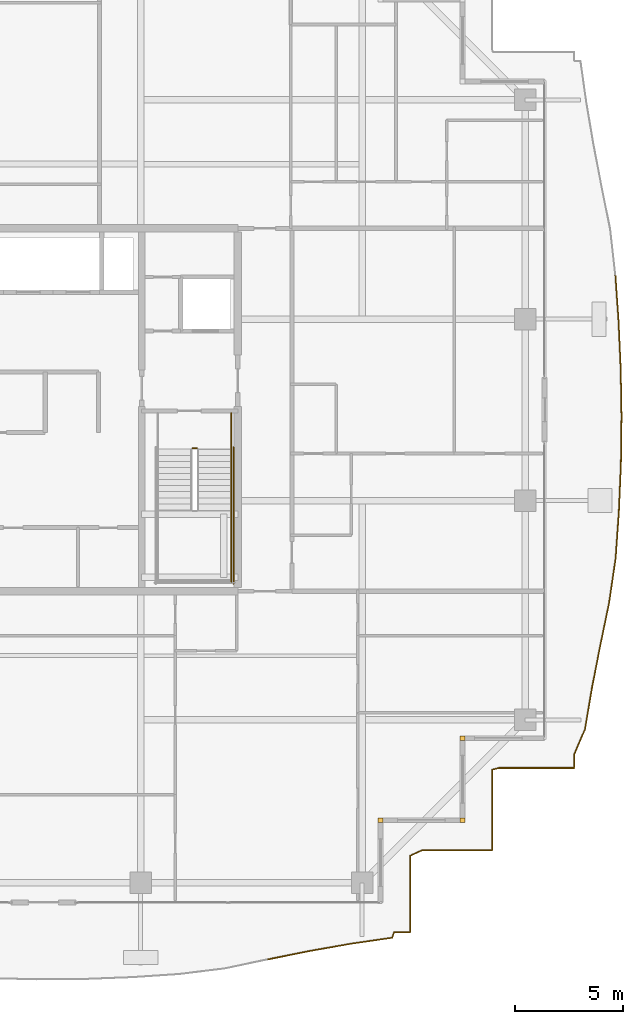
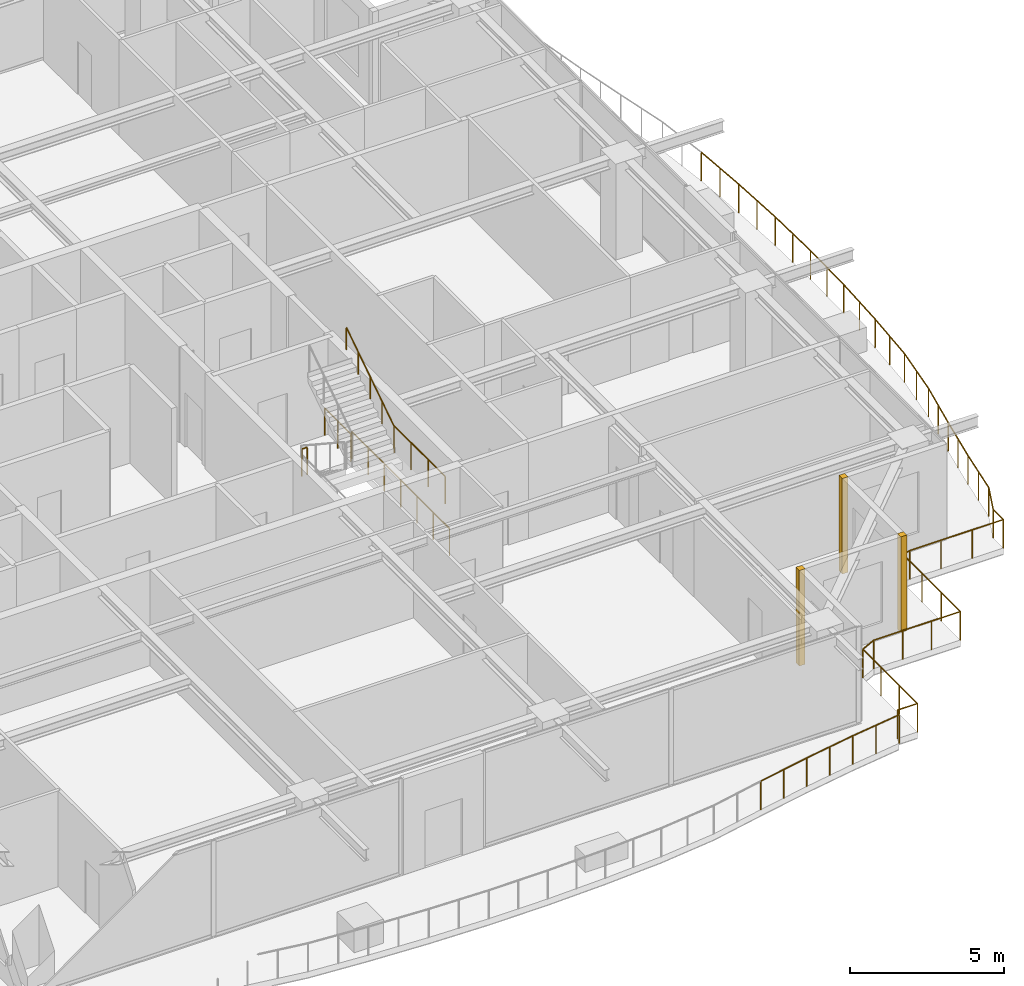
# One storey, part 41 of 42: 8 railings, 3 coverings.
"""IFC4 building model written with IfcOpenShell, lengths in metres."""

from ifc_helpers import new_model, si_unit, direction, frame, origin, origin_2d, place, context, subcontext, project, spatial, rectangle, circle, extrude, source, transform, mapped, material, layer, layer_set, type_object, element, save


model = new_model("IFC4")

# Units and contexts
model_context = context("Model", 3, precision=1e-05, world=origin(), true_north=direction((0.0, 1.0)))
body_context = subcontext(model_context, "Body", "Model", "MODEL_VIEW")
ifc_project = project(units=[si_unit("LENGTHUNIT", "METRE"), si_unit("AREAUNIT", "SQUARE_METRE"), si_unit("VOLUMEUNIT", "CUBIC_METRE"), si_unit("PLANEANGLEUNIT", "RADIAN"), si_unit("MASSUNIT", "GRAM", prefix="KILO")], contexts=[model_context])

# Site, building, storey
site_placement = place(None, origin())
site = spatial("IfcSite", under=ifc_project, at=site_placement, CompositionType="ELEMENT")
building_placement = place(site_placement, origin())
building = spatial("IfcBuilding", under=site, at=building_placement, Name="Serunith Strait Residences", CompositionType="ELEMENT")
storey_placement = place(building_placement, frame((0.0, 0.0, 293.449951171875)))
storey = spatial("IfcBuildingStorey", under=building, at=storey_placement, Name="L73", CompositionType="ELEMENT", Elevation=293.449951171875)

# Railings
ifc_material_1 = material(Name="Stainless Steel & Laminated Glass Balustrade", Category="steel")
railing_type_1 = type_object("IfcRailingType", Name="RLG-BALC-1150", PredefinedType="BALUSTRADE", material=ifc_material_1)
railing_1_placement = place(storey_placement, frame((58.87841796875, 31.458251953125, -0.050048828125)))
element("IfcRailing", 1, at=railing_1_placement, inside=storey, type_object=railing_type_1, Name="L73 Swirling Balcony Perimeter Balustrade 4", PredefinedType="BALUSTRADE", context=body_context, shape_type="SweptSolid", body=[
    extrude(circle(Radius=0.02392578125, at=origin_2d()), frame((0.000244140625, -0.001953125, 1.1259765625), z_axis=(0.06795262557, -0.997688548936, 0.0), x_axis=(0.997688548936, 0.06795262557, 0.0)), (0.0, 0.0, 1.0), 2.166015625),
    extrude(circle(Radius=0.02392578125, at=origin_2d()), frame((0.1474609375, -2.1669921875, 1.1259765625), z_axis=(0.045160425064, -0.998979747546, 0.0), x_axis=(0.998979747546, 0.045160425064, 0.0)), (0.0, 0.0, 1.0), 2.19091796875),
    extrude(circle(Radius=0.02392578125, at=origin_2d()), frame((0.24658203125, -4.359619140625, 1.1259765625), z_axis=(0.017355041926, -0.999849389918, 0.0), x_axis=(0.999849389918, 0.017355041926, 0.0)), (0.0, 0.0, 1.0), 2.20458984375),
    extrude(circle(Radius=0.02392578125, at=origin_2d()), frame((0.284912109375, -6.56787109375, 1.1259765625), z_axis=(-0.012934241333, -0.999916349202, 0.0), x_axis=(0.999916349202, -0.012934241333, 0.0)), (0.0, 0.0, 1.0), 2.204345703125),
    extrude(circle(Radius=0.02392578125, at=origin_2d()), frame((0.25634765625, -8.776123046875, 1.1259765625), z_axis=(-0.042838464692, -0.99908201162, 0.0), x_axis=(0.99908201162, -0.042838464692, 0.0)), (0.0, 0.0, 1.0), 2.190185546875),
    extrude(circle(Radius=0.02392578125, at=origin_2d()), frame((0.162109375, -10.96826171875, 1.1259765625), z_axis=(-0.069053381699, -0.997612966273, 0.0), x_axis=(0.997612966273, -0.069053381699, 0.0)), (0.0, 0.0, 1.0), 2.163330078125),
    extrude(circle(Radius=0.02392578125, at=origin_2d()), frame((0.012451171875, -13.13037109375, 1.1259765625), z_axis=(-0.145704222893, -0.989328196015, 0.0), x_axis=(0.989328196015, -0.145704222893, 0.0)), (0.0, 0.0, 1.0), 2.102294921875),
    extrude(circle(Radius=0.02099609375, at=origin_2d()), origin(), (0.0, 0.0, 1.0), 1.099853515625),
    extrude(circle(Radius=0.02099609375, at=origin_2d()), frame((0.07373046875, -1.08251953125, 0.0)), (0.0, 0.0, 1.0), 1.099853515625),
    extrude(circle(Radius=0.02099609375, at=origin_2d()), frame((0.1474609375, -2.1650390625, 0.0)), (0.0, 0.0, 1.0), 1.099853515625),
    extrude(circle(Radius=0.02099609375, at=origin_2d()), frame((0.197021484375, -3.26123046875, 0.0)), (0.0, 0.0, 1.0), 1.099853515625),
    extrude(circle(Radius=0.02099609375, at=origin_2d()), frame((0.24658203125, -4.357666015625, 0.0)), (0.0, 0.0, 1.0), 1.099853515625),
    extrude(circle(Radius=0.02099609375, at=origin_2d()), frame((0.265625, -5.4619140625, 0.0)), (0.0, 0.0, 1.0), 1.099853515625),
    extrude(circle(Radius=0.02099609375, at=origin_2d()), frame((0.284912109375, -6.56591796875, 0.0)), (0.0, 0.0, 1.0), 1.099853515625),
    extrude(circle(Radius=0.02099609375, at=origin_2d()), frame((0.2705078125, -7.669921875, 0.0)), (0.0, 0.0, 1.0), 1.099853515625),
    extrude(circle(Radius=0.02099609375, at=origin_2d()), frame((0.25634765625, -8.774169921875, 0.0)), (0.0, 0.0, 1.0), 1.099853515625),
    extrude(circle(Radius=0.02099609375, at=origin_2d()), frame((0.20947265625, -9.8701171875, 0.0)), (0.0, 0.0, 1.0), 1.099853515625),
    extrude(circle(Radius=0.02099609375, at=origin_2d()), frame((0.162353515625, -10.96630859375, 0.0)), (0.0, 0.0, 1.0), 1.099853515625),
    extrude(circle(Radius=0.02099609375, at=origin_2d()), frame((0.08740234375, -12.04736328125, 0.0)), (0.0, 0.0, 1.0), 1.099853515625),
    extrude(circle(Radius=0.02099609375, at=origin_2d()), frame((0.0126953125, -13.12841796875, 0.0)), (0.0, 0.0, 1.0), 1.099853515625),
    extrude(circle(Radius=0.02099609375, at=origin_2d()), frame((-0.140625, -14.17041015625, 0.0)), (0.0, 0.0, 1.0), 1.099853515625),
    extrude(circle(Radius=0.02099609375, at=origin_2d()), frame((-0.294189453125, -15.212158203125, 0.0)), (0.0, 0.0, 1.0), 1.099853515625),
])
railing_2_placement = place(storey_placement, frame((58.584228515625, 16.24609375, -0.050048828125)))
element("IfcRailing", 2, at=railing_2_placement, inside=storey, type_object=railing_type_1, Name="L73 Swirling Balcony Perimeter Balustrade 5", PredefinedType="BALUSTRADE", context=body_context, shape_type="SweptSolid", body=[
    extrude(circle(Radius=0.02392578125, at=origin_2d()), frame((-0.00048828125, -0.001953125, 1.1259765625), z_axis=(-0.203349144549, -0.979106289129, 0.0), x_axis=(0.979106289129, -0.203349144549, 0.0)), (0.0, 0.0, 1.0), 2.026123046875),
    extrude(circle(Radius=0.02392578125, at=origin_2d()), frame((-0.413330078125, -1.98974609375, 1.1259765625), z_axis=(-0.1910483824, -0.98158062103, 0.0), x_axis=(0.98158062103, -0.1910483824, 0.0)), (0.0, 0.0, 1.0), 1.970458984375),
    extrude(circle(Radius=0.02392578125, at=origin_2d()), frame((-0.790283203125, -3.927734375, 1.1259765625), z_axis=(-0.166690335324, -0.986009296158, 0.0), x_axis=(0.986009296158, -0.166690335324, 0.0)), (0.0, 0.0, 1.0), 1.9306640625),
    extrude(circle(Radius=0.02392578125, at=origin_2d()), frame((-1.11328125, -5.83544921875, 1.1259765625), z_axis=(-0.397009892886, -0.917814330326, 0.0), x_axis=(0.917814330326, -0.397009892886, 0.0)), (0.0, 0.0, 1.0), 1.234619140625),
    extrude(circle(Radius=0.02392578125, at=origin_2d()), frame((-1.604248046875, -6.97216796875, 1.1259765625), z_axis=(0.0, -1.0, 0.0), x_axis=(1.0, 0.0, 0.0)), (0.0, 0.0, 1.0), 0.65185546875),
    extrude(circle(Radius=0.02392578125, at=origin_2d()), frame((-1.606201171875, -7.6259765625, 1.1259765625), z_axis=(-1.0, 0.0, 0.0), x_axis=(0.0, -1.0, 0.0)), (0.0, 0.0, 1.0), 3.494140625),
    extrude(circle(Radius=0.02392578125, at=origin_2d()), frame((-5.104248046875, -7.62646484375, 1.1259765625), z_axis=(-0.97018861834, -0.242351077661, 0.0), x_axis=(0.242351077661, -0.97018861834, 0.0)), (0.0, 0.0, 1.0), 0.307373046875),
    extrude(circle(Radius=0.02392578125, at=origin_2d()), frame((-5.404296875, -7.703369140625, 1.1259765625), z_axis=(0.0, -1.0, 0.0), x_axis=(1.0, 0.0, 0.0)), (0.0, 0.0, 1.0), 3.720703125),
    extrude(circle(Radius=0.02099609375, at=origin_2d()), origin(), (0.0, 0.0, 1.0), 1.099853515625),
    extrude(circle(Radius=0.02099609375, at=origin_2d()), frame((-0.20654296875, -0.993896484375, 0.0)), (0.0, 0.0, 1.0), 1.099853515625),
    extrude(circle(Radius=0.02099609375, at=origin_2d()), frame((-0.412841796875, -1.98779296875, 0.0)), (0.0, 0.0, 1.0), 1.099853515625),
    extrude(circle(Radius=0.02099609375, at=origin_2d()), frame((-0.6015625, -2.956787109375, 0.0)), (0.0, 0.0, 1.0), 1.099853515625),
    extrude(circle(Radius=0.02099609375, at=origin_2d()), frame((-0.7900390625, -3.92578125, 0.0)), (0.0, 0.0, 1.0), 1.099853515625),
    extrude(circle(Radius=0.02099609375, at=origin_2d()), frame((-0.951171875, -4.879638671875, 0.0)), (0.0, 0.0, 1.0), 1.099853515625),
    extrude(circle(Radius=0.02099609375, at=origin_2d()), frame((-1.112548828125, -5.83349609375, 0.0)), (0.0, 0.0, 1.0), 1.099853515625),
    extrude(circle(Radius=0.02099609375, at=origin_2d()), frame((-1.604248046875, -6.97021484375, 0.0)), (0.0, 0.0, 1.0), 1.099853515625),
    extrude(circle(Radius=0.02099609375, at=origin_2d()), frame((-1.604248046875, -7.6259765625, 0.0)), (0.0, 0.0, 1.0), 1.099853515625),
    extrude(circle(Radius=0.02099609375, at=origin_2d()), frame((-2.770263671875, -7.6259765625, 0.0)), (0.0, 0.0, 1.0), 1.099853515625),
    extrude(circle(Radius=0.02099609375, at=origin_2d()), frame((-3.936279296875, -7.6259765625, 0.0)), (0.0, 0.0, 1.0), 1.099853515625),
    extrude(circle(Radius=0.02099609375, at=origin_2d()), frame((-5.102294921875, -7.6259765625, 0.0)), (0.0, 0.0, 1.0), 1.099853515625),
    extrude(circle(Radius=0.02099609375, at=origin_2d()), frame((-5.404296875, -7.701416015625, 0.0)), (0.0, 0.0, 1.0), 1.099853515625),
    extrude(circle(Radius=0.02099609375, at=origin_2d()), frame((-5.404296875, -8.94287109375, 0.0)), (0.0, 0.0, 1.0), 1.099853515625),
    extrude(circle(Radius=0.02099609375, at=origin_2d()), frame((-5.404296875, -10.1845703125, 0.0)), (0.0, 0.0, 1.0), 1.099853515625),
    extrude(circle(Radius=0.02099609375, at=origin_2d()), frame((-5.404296875, -11.426025390625, 0.0)), (0.0, 0.0, 1.0), 1.099853515625),
])
railing_3_placement = place(storey_placement, frame((53.179931640625, 4.820068359375, -0.050048828125)))
element("IfcRailing", 3, at=railing_3_placement, inside=storey, type_object=railing_type_1, Name="L73 Swirling Balcony Perimeter Balustrade 6", PredefinedType="BALUSTRADE", context=body_context, shape_type="SweptSolid", body=[
    extrude(circle(Radius=0.02392578125, at=origin_2d()), frame((-0.001953125, 0.0, 1.1259765625), z_axis=(-1.0, 0.0, 0.0), x_axis=(0.0, -1.0, 0.0)), (0.0, 0.0, 1.0), 3.233642578125),
    extrude(circle(Radius=0.02392578125, at=origin_2d()), frame((-3.2392578125, -0.000732421875, 1.1259765625), z_axis=(-0.904551600547, -0.426364165883, 0.0), x_axis=(0.426364165883, -0.904551600547, 0.0)), (0.0, 0.0, 1.0), 0.617919921875),
    extrude(circle(Radius=0.02392578125, at=origin_2d()), frame((-3.800048828125, -0.26708984375, 1.1259765625), z_axis=(0.0, -1.0, 0.0), x_axis=(1.0, 0.0, 0.0)), (0.0, 0.0, 1.0), 3.531005859375),
    extrude(circle(Radius=0.02392578125, at=origin_2d()), frame((-3.802001953125, -3.800048828125, 1.1259765625), z_axis=(-1.0, 0.0, 0.0), x_axis=(0.0, -1.0, 0.0)), (0.0, 0.0, 1.0), 0.74267578125),
    extrude(circle(Radius=0.02392578125, at=origin_2d()), frame((-4.54736328125, -3.802001953125, 1.1259765625), z_axis=(-0.31271097684, -0.949848327347, 0.0), x_axis=(0.949848327347, -0.31271097684, 0.0)), (0.0, 0.0, 1.0), 0.266845703125),
    extrude(circle(Radius=0.02392578125, at=origin_2d()), frame((-4.63330078125, -4.0576171875, 1.1259765625), z_axis=(-0.989610193278, -0.1437764423, 0.0), x_axis=(0.1437764423, -0.989610193278, 0.0)), (0.0, 0.0, 1.0), 1.911376953125),
    extrude(circle(Radius=0.02392578125, at=origin_2d()), frame((-6.52880859375, -4.3330078125, 1.1259765625), z_axis=(-0.984864491791, -0.173326088083, 0.0), x_axis=(0.173326088083, -0.984864491791, 0.0)), (0.0, 0.0, 1.0), 1.93701171875),
    extrude(circle(Radius=0.02392578125, at=origin_2d()), frame((-8.4404296875, -4.669677734375, 1.1259765625), z_axis=(-0.980367200869, -0.197180504767, 0.0), x_axis=(0.197180504767, -0.980367200869, 0.0)), (0.0, 0.0, 1.0), 1.980712890625),
    extrude(circle(Radius=0.02099609375, at=origin_2d()), origin(), (0.0, 0.0, 1.0), 1.099853515625),
    extrude(circle(Radius=0.02099609375, at=origin_2d()), frame((-1.0791015625, 0.0, 0.0)), (0.0, 0.0, 1.0), 1.099853515625),
    extrude(circle(Radius=0.02099609375, at=origin_2d()), frame((-2.158447265625, 0.0, 0.0)), (0.0, 0.0, 1.0), 1.099853515625),
    extrude(circle(Radius=0.02099609375, at=origin_2d()), frame((-3.237548828125, 0.0, 0.0)), (0.0, 0.0, 1.0), 1.099853515625),
    extrude(circle(Radius=0.02099609375, at=origin_2d()), frame((-3.800048828125, -0.26513671875, 0.0)), (0.0, 0.0, 1.0), 1.099853515625),
    extrude(circle(Radius=0.02099609375, at=origin_2d()), frame((-3.800048828125, -1.443359375, 0.0)), (0.0, 0.0, 1.0), 1.099853515625),
    extrude(circle(Radius=0.02099609375, at=origin_2d()), frame((-3.800048828125, -2.621826171875, 0.0)), (0.0, 0.0, 1.0), 1.099853515625),
    extrude(circle(Radius=0.02099609375, at=origin_2d()), frame((-3.800048828125, -3.800048828125, 0.0)), (0.0, 0.0, 1.0), 1.099853515625),
    extrude(circle(Radius=0.02099609375, at=origin_2d()), frame((-4.546630859375, -3.800048828125, 0.0)), (0.0, 0.0, 1.0), 1.099853515625),
    extrude(circle(Radius=0.02099609375, at=origin_2d()), frame((-4.63134765625, -4.057373046875, 0.0)), (0.0, 0.0, 1.0), 1.099853515625),
    extrude(circle(Radius=0.02099609375, at=origin_2d()), frame((-5.5791015625, -4.195068359375, 0.0)), (0.0, 0.0, 1.0), 1.099853515625),
    extrude(circle(Radius=0.02099609375, at=origin_2d()), frame((-6.52685546875, -4.332763671875, 0.0)), (0.0, 0.0, 1.0), 1.099853515625),
    extrude(circle(Radius=0.02099609375, at=origin_2d()), frame((-7.482666015625, -4.5009765625, 0.0)), (0.0, 0.0, 1.0), 1.099853515625),
    extrude(circle(Radius=0.02099609375, at=origin_2d()), frame((-8.4384765625, -4.669189453125, 0.0)), (0.0, 0.0, 1.0), 1.099853515625),
    extrude(circle(Radius=0.02099609375, at=origin_2d()), frame((-9.411376953125, -4.86474609375, 0.0)), (0.0, 0.0, 1.0), 1.099853515625),
    extrude(circle(Radius=0.02099609375, at=origin_2d()), frame((-10.38427734375, -5.060546875, 0.0)), (0.0, 0.0, 1.0), 1.099853515625),
])
ifc_material_2 = material(Name="Brushed stainless steel 316L", Category="steel")
railing_type_2 = type_object("IfcRailingType", Name="RLG-STAIR-GUARD", PredefinedType="BALUSTRADE", material=ifc_material_2)
railing_4_placement = place(storey_placement, frame((41.10009765625, 20.570068359375, 2.025146484375)))
element("IfcRailing", 4, at=railing_4_placement, inside=storey, type_object=railing_type_2, Name="L73 ST-2 stair guard 4", PredefinedType="BALUSTRADE", context=body_context, shape_type="SweptSolid", body=[
    extrude(circle(Radius=0.02392578125, at=origin_2d()), frame((0.0, -0.001953125, 1.076171875), z_axis=(0.0, -1.0, 0.0), x_axis=(1.0, 0.0, 0.0)), (0.0, 0.0, 1.0), 3.316162109375),
    extrude(circle(Radius=0.02099609375, at=origin_2d()), origin(), (0.0, 0.0, 1.0), 1.050048828125),
    extrude(circle(Radius=0.02099609375, at=origin_2d()), frame((0.0, -1.106689453125, 0.0)), (0.0, 0.0, 1.0), 1.050048828125),
    extrude(circle(Radius=0.02099609375, at=origin_2d()), frame((0.0, -2.21337890625, 0.0)), (0.0, 0.0, 1.0), 1.050048828125),
    extrude(circle(Radius=0.02099609375, at=origin_2d()), frame((0.0, -3.320068359375, 0.0)), (0.0, 0.0, 1.0), 1.050048828125),
])
railing_5_placement = place(storey_placement, frame((39.300048828125, 23.419921875, 0.0)))
element("IfcRailing", 5, at=railing_5_placement, inside=storey, type_object=railing_type_2, Name="L73 ST-2 stair guard 7", PredefinedType="BALUSTRADE", context=body_context, shape_type="SweptSolid", body=[
    extrude(circle(Radius=0.02392578125, at=origin_2d()), frame((0.001953125, 0.0, 1.076171875), z_axis=(1.0, 0.0, 0.0), x_axis=(0.0, 1.0, 0.0)), (0.0, 0.0, 1.0), 0.196044921875),
    extrude(circle(Radius=0.02099609375, at=origin_2d()), origin(), (0.0, 0.0, 1.0), 1.050048828125),
    extrude(circle(Radius=0.02099609375, at=origin_2d()), frame((0.199951171875, 0.0, 0.0)), (0.0, 0.0, 1.0), 1.050048828125),
])
railing_6_placement = place(storey_placement, frame((41.10009765625, 25.050048828125, 0.0)))
element("IfcRailing", 6, at=railing_6_placement, inside=storey, type_object=railing_type_2, Name="L73 ST-2 stair guard 9", PredefinedType="BALUSTRADE", context=body_context, shape_type="SweptSolid", body=[
    extrude(circle(Radius=0.02392578125, at=origin_2d()), frame((0.0, -0.001953125, 1.076171875), z_axis=(0.0, -1.0, 0.0), x_axis=(1.0, 0.0, 0.0)), (0.0, 0.0, 1.0), 1.676025390625),
    extrude(circle(Radius=0.02099609375, at=origin_2d()), origin(), (0.0, 0.0, 1.0), 1.050048828125),
    extrude(circle(Radius=0.02099609375, at=origin_2d()), frame((0.0, -0.83984375, 0.0)), (0.0, 0.0, 1.0), 1.050048828125),
    extrude(circle(Radius=0.02099609375, at=origin_2d()), frame((0.0, -1.679931640625, 0.0)), (0.0, 0.0, 1.0), 1.050048828125),
])
railing_7_placement = place(storey_placement, frame((41.199951171875, 23.469970703125, 0.0)))
element("IfcRailing", 7, at=railing_7_placement, inside=storey, type_object=railing_type_2, Name="L73 ST-2 stair guard 11", PredefinedType="BALUSTRADE", context=body_context, shape_type="SweptSolid", body=[
    extrude(circle(Radius=0.02392578125, at=origin_2d()), frame((0.0, -0.001953125, 1.076171875), z_axis=(0.0, -1.0, 0.0), x_axis=(1.0, 0.0, 0.0)), (0.0, 0.0, 1.0), 6.316162109375),
    extrude(circle(Radius=0.02099609375, at=origin_2d()), origin(), (0.0, 0.0, 1.0), 1.050048828125),
    extrude(circle(Radius=0.02099609375, at=origin_2d()), frame((0.0, -1.05322265625, 0.0)), (0.0, 0.0, 1.0), 1.050048828125),
    extrude(circle(Radius=0.02099609375, at=origin_2d()), frame((0.0, -2.106689453125, 0.0)), (0.0, 0.0, 1.0), 1.050048828125),
    extrude(circle(Radius=0.02099609375, at=origin_2d()), frame((0.0, -3.16015625, 0.0)), (0.0, 0.0, 1.0), 1.050048828125),
    extrude(circle(Radius=0.02099609375, at=origin_2d()), frame((0.0, -4.21337890625, 0.0)), (0.0, 0.0, 1.0), 1.050048828125),
    extrude(circle(Radius=0.02099609375, at=origin_2d()), frame((0.0, -5.2666015625, 0.0)), (0.0, 0.0, 1.0), 1.050048828125),
    extrude(circle(Radius=0.02099609375, at=origin_2d()), frame((0.0, -6.320068359375, 0.0)), (0.0, 0.0, 1.0), 1.050048828125),
])
railing_type_3 = type_object("IfcRailingType", Name="RLG-STAIR-HR", PredefinedType="HANDRAIL", material=ifc_material_2)
railing_8_placement = place(storey_placement, frame((41.10009765625, 20.570068359375, 2.209228515625)))
element("IfcRailing", 8, at=railing_8_placement, inside=storey, type_object=railing_type_3, Name="L73 ST-2 stair handrail 2", PredefinedType="HANDRAIL", context=body_context, shape_type="SweptSolid", body=[
    extrude(circle(Radius=0.02392578125, at=origin_2d()), frame((0.0, 0.001708984375, 0.876953125), z_axis=(0.0, 0.834940924727, 0.550339579002), x_axis=(-1.0, 0.0, 0.0)), (0.0, 0.0, 1.0), 3.6845703125),
    extrude(circle(Radius=0.02099609375, at=origin_2d()), origin(), (0.0, 0.0, 1.0), 0.849853515625),
    extrude(circle(Radius=0.02099609375, at=origin_2d()), frame((0.0, 0.77001953125, 0.507568359375)), (0.0, 0.0, 1.0), 0.849853515625),
    extrude(circle(Radius=0.02099609375, at=origin_2d()), frame((0.0, 1.5400390625, 1.01513671875)), (0.0, 0.0, 1.0), 0.849853515625),
    extrude(circle(Radius=0.02099609375, at=origin_2d()), frame((0.0, 2.309814453125, 1.5224609375)), (0.0, 0.0, 1.0), 0.849853515625),
    extrude(circle(Radius=0.02099609375, at=origin_2d()), frame((0.0, 3.079833984375, 2.030029296875)), (0.0, 0.0, 1.0), 0.849853515625),
])

# Coverings
ifc_material_3 = material(Name="Pale-Champagne Anodised Aluminium", Category="aluminium")
ifc_layer = layer(ifc_material_3, 0.219970703125, Name="Pale-Champagne Anodised Aluminium")
ifc_layer_set = layer_set([ifc_layer], Name="Pale-Champagne Anodised Aluminium")
covering_type = type_object("IfcCoveringType", Name="COV-CORN-TRIM", PredefinedType="CLADDING", material=ifc_layer_set)
shared_shape = source(origin(), body_context, "Body", "SweptSolid", [
    extrude(rectangle(XDim=0.221923828125, YDim=0.221923828125, at=origin_2d()), origin(), (0.0, 0.0, 1.0), 3.77490234375),
])
for number, where, z_axis, x_axis, name in (
    (9, (48.0, 6.199951171875, 0.0), (0.0, 0.0, 1.0), (1.0, 0.0, 0.0), "L73 Girih Serrated Corner Trim Post 02"),
    (10, (51.800048828125, 6.199951171875, 0.0), (0.0, 0.0, 1.0), (1.0, 0.0, 0.0), "L73 Girih Serrated Corner Trim Post 03"),
    (11, (51.800048828125, 10.0, 0.0), (0.0, 0.0, 1.0), (1.0, 0.0, 0.0), "L73 Girih Serrated Corner Trim Post 04"),
):
    element("IfcCovering", number, at=place(storey_placement, frame(where, z_axis=z_axis, x_axis=x_axis)), inside=storey, type_object=covering_type, Name=name, PredefinedType="CLADDING", context=body_context, shape_type="MappedRepresentation", body=[
        mapped(shared_shape, transform((0.0, 0.0, 0.0), scale=1.0)),
    ])

save(model, "model.ifc")
